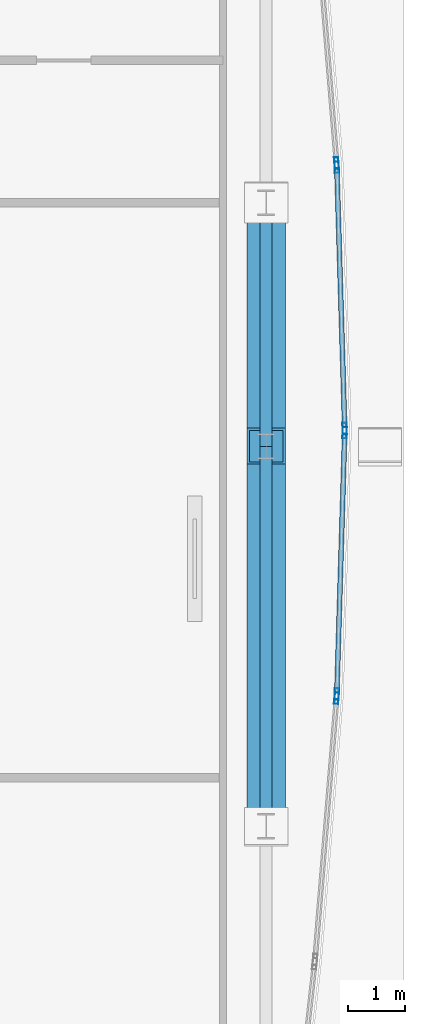
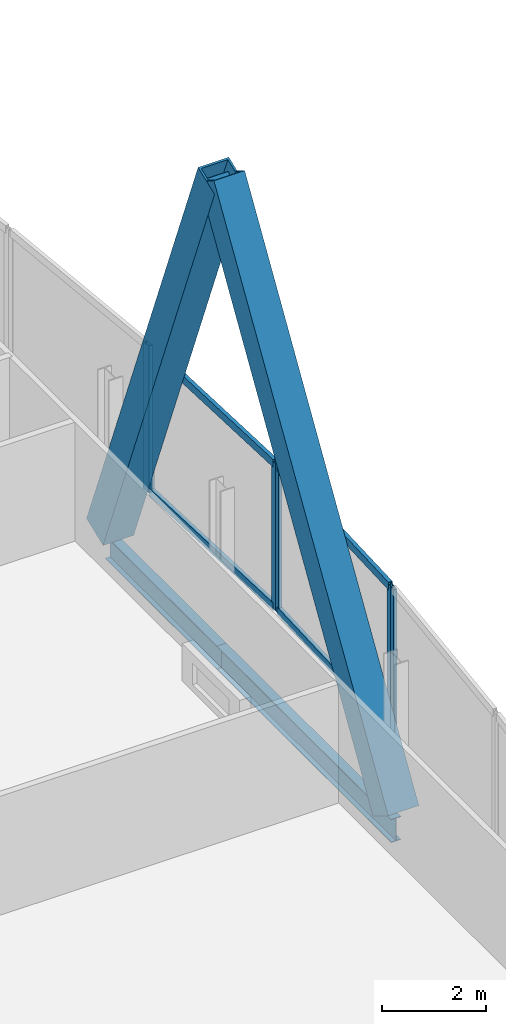
# One storey, part 16 of 28: 12 members, 2 beams, 4 elements without a shape of their own.
"""IFC4 building model written with IfcOpenShell, lengths in metres."""

from ifc_helpers import new_model, si_unit, direction, frame, origin, origin_2d, place, context, subcontext, project, spatial, hollow_rectangle, i_section, extrude, material, material_profile, profile_set, type_object, element, aggregate, save


model = new_model("IFC4")

# Units and contexts
model_context = context("Model", 3, precision=1e-05, world=origin(), true_north=direction((0.0, 1.0)))
body_context = subcontext(model_context, "Body", "Model", "MODEL_VIEW")
ifc_project = project(units=[si_unit("LENGTHUNIT", "METRE"), si_unit("AREAUNIT", "SQUARE_METRE"), si_unit("VOLUMEUNIT", "CUBIC_METRE"), si_unit("PLANEANGLEUNIT", "RADIAN"), si_unit("MASSUNIT", "GRAM", prefix="KILO")], contexts=[model_context])

# Site, building, storey
site_placement = place(None, origin())
site = spatial("IfcSite", under=ifc_project, at=site_placement, CompositionType="ELEMENT")
building_placement = place(site_placement, origin())
building = spatial("IfcBuilding", under=site, at=building_placement, Name="Khoronbel Lancet Exchange", CompositionType="ELEMENT")
storey_placement = place(building_placement, frame((0.0, 0.0, 291.39990234375)))
storey = spatial("IfcBuildingStorey", under=building, at=storey_placement, Name="L75", CompositionType="ELEMENT", Elevation=291.39990234375)

# Beams
ifc_material_1 = material(Name="Steel S355", Category="steel")
ifc_material_profile_1 = material_profile(ifc_material_1, i_section(OverallWidth=0.2099609375, OverallDepth=0.550048828125, WebThickness=0.010986328125, FlangeThickness=0.01708984375, at=origin_2d()), Name="IPE 550")
ifc_profile_set_1 = profile_set([ifc_material_profile_1], Name="Steel S355")
beam_type = type_object("IfcBeamType", Name="BM-BSP3", PredefinedType="SPANDREL", material=ifc_profile_set_1)
beam_1_placement = place(storey_placement, frame((61.6298828125, 24.75, -0.434814453125), z_axis=(0.0, 1.0, 0.0), x_axis=(-1.0, 0.0, 0.0)))
element("IfcBeam", 1, at=beam_1_placement, inside=storey, type_object=beam_type, Name="Level L75 perimeter spandrel beam SP10", PredefinedType="SPANDREL", context=body_context, shape_type="SweptSolid", body=[
    extrude(i_section(OverallWidth=0.2099609375, OverallDepth=0.550048828125, WebThickness=0.010986328125, FlangeThickness=0.01708984375, at=origin_2d()), origin(), (0.0, 0.0, 1.0), 6.675048828125),
])
beam_2_placement = place(storey_placement, frame((61.6298828125, 31.425048828125, -0.434814453125), z_axis=(0.0, 1.0, 0.0), x_axis=(-1.0, 0.0, 0.0)))
element("IfcBeam", 2, at=beam_2_placement, inside=storey, type_object=beam_type, Name="Level L75 perimeter spandrel beam SP11", PredefinedType="SPANDREL", context=body_context, shape_type="SweptSolid", body=[
    extrude(i_section(OverallWidth=0.2099609375, OverallDepth=0.550048828125, WebThickness=0.010986328125, FlangeThickness=0.01708984375, at=origin_2d()), origin(), (0.0, 0.0, 1.0), 4.27490234375),
])

# Curtain wall, member
ifc_material_2 = material(Name="Low-E Solar Control Insulating Glass", Category="glass")
curtain_wall_type = type_object("IfcCurtainWallType", Name="CW-4", PredefinedType="NOTDEFINED", material=ifc_material_2)
curtain_wall_1_placement = place(storey_placement, origin())
curtain_wall_1 = element("IfcCurtainWall", 3, at=curtain_wall_1_placement, inside=storey, type_object=curtain_wall_type, Name="Unitised curtain wall CW-L75-E18", PredefinedType="NOTDEFINED")
ifc_material_3 = material(Name="Bronze-Anodised Aluminium 6063-T6", Category="aluminium")
ifc_material_profile_2 = material_profile(ifc_material_3, hollow_rectangle(XDim=0.074951171875, YDim=0.199951171875, WallThickness=0.0048828125, at=origin_2d()), Name="ALU MULLION 75x200")
ifc_profile_set_2 = profile_set([ifc_material_profile_2], Name="Bronze-Anodised Aluminium 6063-T6")
member_type_1 = type_object("IfcMemberType", Name="MEM-CWM2", PredefinedType="MULLION", material=ifc_profile_set_2)
member_1_placement = place(storey_placement, frame((62.8662109375, 36.39892578125, 0.0), z_axis=(0.0, 0.0, 1.0), x_axis=(0.996626353667, 0.082072596992, 0.0)))
member_1 = element("IfcMember", 4, at=member_1_placement, type_object=member_type_1, Name="CW4 mullion 2", PredefinedType="MULLION", context=body_context, shape_type="SweptSolid", body=[
    extrude(hollow_rectangle(XDim=0.074951171875, YDim=0.199951171875, WallThickness=0.0048828125, at=origin_2d()), origin(), (0.0, 0.0, 1.0), 3.440185546875),
])
aggregate(curtain_wall_1, [member_1])

# Curtain wall, members
curtain_wall_2_placement = place(storey_placement, origin())
curtain_wall_2 = element("IfcCurtainWall", 5, at=curtain_wall_2_placement, inside=storey, type_object=curtain_wall_type, Name="Unitised curtain wall CW-L75-E19", PredefinedType="NOTDEFINED")
member_2_placement = place(storey_placement, frame((62.87060546875, 36.32421875, 0.0), z_axis=(0.0, 0.0, 1.0), x_axis=(0.999545457549, 0.030147608411, 0.0)))
member_2 = element("IfcMember", 6, at=member_2_placement, type_object=member_type_1, Name="CW4 mullion 1", PredefinedType="MULLION", context=body_context, shape_type="SweptSolid", body=[
    extrude(hollow_rectangle(XDim=0.074951171875, YDim=0.199951171875, WallThickness=0.0048828125, at=origin_2d()), origin(), (0.0, 0.0, 1.0), 3.440185546875),
])
member_3_placement = place(storey_placement, frame((63.0087890625, 31.737548828125, 0.0), z_axis=(0.0, 0.0, 1.0), x_axis=(0.999545457549, 0.030147608411, 0.0)))
member_3 = element("IfcMember", 7, at=member_3_placement, type_object=member_type_1, Name="CW4 mullion 2", PredefinedType="MULLION", context=body_context, shape_type="SweptSolid", body=[
    extrude(hollow_rectangle(XDim=0.074951171875, YDim=0.199951171875, WallThickness=0.0048828125, at=origin_2d()), origin(), (0.0, 0.0, 1.0), 3.440185546875),
])

curtain_wall_3_placement = place(storey_placement, origin())
curtain_wall_3 = element("IfcCurtainWall", 8, at=curtain_wall_3_placement, inside=storey, type_object=curtain_wall_type, Name="Unitised curtain wall CW-L75-E20", PredefinedType="NOTDEFINED")
member_4_placement = place(storey_placement, frame((63.0087890625, 31.66259765625, 0.0), z_axis=(0.0, 0.0, 1.0), x_axis=(0.999545457549, -0.030147608411, 0.0)))
member_4 = element("IfcMember", 9, at=member_4_placement, type_object=member_type_1, Name="CW4 mullion 1", PredefinedType="MULLION", context=body_context, shape_type="SweptSolid", body=[
    extrude(hollow_rectangle(XDim=0.074951171875, YDim=0.199951171875, WallThickness=0.0048828125, at=origin_2d()), origin(), (0.0, 0.0, 1.0), 3.440185546875),
])
member_5_placement = place(storey_placement, frame((62.87060546875, 27.075927734375, 0.0), z_axis=(0.0, 0.0, 1.0), x_axis=(0.999545457549, -0.030147608411, 0.0)))
member_5 = element("IfcMember", 10, at=member_5_placement, type_object=member_type_1, Name="CW4 mullion 2", PredefinedType="MULLION", context=body_context, shape_type="SweptSolid", body=[
    extrude(hollow_rectangle(XDim=0.074951171875, YDim=0.199951171875, WallThickness=0.0048828125, at=origin_2d()), origin(), (0.0, 0.0, 1.0), 3.440185546875),
])

# Curtain wall, member
curtain_wall_4_placement = place(storey_placement, origin())
curtain_wall_4 = element("IfcCurtainWall", 11, at=curtain_wall_4_placement, inside=storey, type_object=curtain_wall_type, Name="Unitised curtain wall CW-L75-E21", PredefinedType="NOTDEFINED")
member_6_placement = place(storey_placement, frame((62.8662109375, 27.0009765625, 0.0), z_axis=(0.0, 0.0, 1.0), x_axis=(0.996626353667, -0.082072596992, 0.0)))
member_6 = element("IfcMember", 12, at=member_6_placement, type_object=member_type_1, Name="CW4 mullion 1", PredefinedType="MULLION", context=body_context, shape_type="SweptSolid", body=[
    extrude(hollow_rectangle(XDim=0.074951171875, YDim=0.199951171875, WallThickness=0.0048828125, at=origin_2d()), origin(), (0.0, 0.0, 1.0), 3.440185546875),
])
aggregate(curtain_wall_4, [member_6])

# Member
ifc_material_profile_3 = material_profile(ifc_material_3, hollow_rectangle(XDim=0.0849609375, YDim=0.179931640625, WallThickness=0.0048828125, at=origin_2d()), Name="ALU TRANSOM 85x180")
ifc_profile_set_3 = profile_set([ifc_material_profile_3], Name="Bronze-Anodised Aluminium 6063-T6")
member_type_2 = type_object("IfcMemberType", Name="MEM-CWT1", PredefinedType="USERDEFINED", material=ifc_profile_set_3)
member_7_placement = place(storey_placement, frame((62.87158203125, 36.28662109375, 0.04248046875), z_axis=(0.030181049901, -0.99954444835, 0.0), x_axis=(0.99954444835, 0.030181049901, 0.0)))
member_7 = element("IfcMember", 13, at=member_7_placement, type_object=member_type_2, Name="CW4 transom 1.1", ObjectType="TRANSOM", PredefinedType="USERDEFINED", context=body_context, shape_type="SweptSolid", body=[
    extrude(hollow_rectangle(XDim=0.0849609375, YDim=0.179931640625, WallThickness=0.0048828125, at=origin_2d()), origin(), (0.0, 0.0, 1.0), 4.513671875),
])

member_8_placement = place(storey_placement, frame((62.87158203125, 36.28662109375, 3.397705078125), z_axis=(0.030181049901, -0.99954444835, 0.0), x_axis=(0.99954444835, 0.030181049901, 0.0)))
member_8 = element("IfcMember", 14, at=member_8_placement, type_object=member_type_2, Name="CW4 transom 1.2", ObjectType="TRANSOM", PredefinedType="USERDEFINED", context=body_context, shape_type="SweptSolid", body=[
    extrude(hollow_rectangle(XDim=0.0849609375, YDim=0.179931640625, WallThickness=0.0048828125, at=origin_2d()), origin(), (0.0, 0.0, 1.0), 4.513671875),
])

aggregate(curtain_wall_2, [member_2, member_3, member_7, member_8])

member_9_placement = place(storey_placement, frame((63.0078125, 31.625, 0.04248046875), z_axis=(-0.030181049901, -0.99954444835, 0.0), x_axis=(0.99954444835, -0.030181049901, 0.0)))
member_9 = element("IfcMember", 15, at=member_9_placement, type_object=member_type_2, Name="CW4 transom 1.1", ObjectType="TRANSOM", PredefinedType="USERDEFINED", context=body_context, shape_type="SweptSolid", body=[
    extrude(hollow_rectangle(XDim=0.0849609375, YDim=0.179931640625, WallThickness=0.0048828125, at=origin_2d()), origin(), (0.0, 0.0, 1.0), 4.513671875),
])

member_10_placement = place(storey_placement, frame((63.0078125, 31.625, 3.397705078125), z_axis=(-0.030181049901, -0.99954444835, 0.0), x_axis=(0.99954444835, -0.030181049901, 0.0)))
member_10 = element("IfcMember", 16, at=member_10_placement, type_object=member_type_2, Name="CW4 transom 1.2", ObjectType="TRANSOM", PredefinedType="USERDEFINED", context=body_context, shape_type="SweptSolid", body=[
    extrude(hollow_rectangle(XDim=0.0849609375, YDim=0.179931640625, WallThickness=0.0048828125, at=origin_2d()), origin(), (0.0, 0.0, 1.0), 4.513671875),
])

aggregate(curtain_wall_3, [member_4, member_5, member_9, member_10])

# Members
ifc_material_4 = material(Name="Steel S460", Category="steel")
ifc_material_profile_4 = material_profile(ifc_material_4, hollow_rectangle(XDim=0.679931640625, YDim=0.679931640625, WallThickness=0.044921875, at=origin_2d()), Name="BOX 680x680x45")
ifc_profile_set_4 = profile_set([ifc_material_profile_4], Name="Steel S460")
member_type_3 = type_object("IfcMemberType", Name="MEM-MB3", PredefinedType="BRACE", material=ifc_profile_set_4)
member_11_placement = place(storey_placement, frame((61.6298828125, 24.75, 0.0), z_axis=(0.0, 0.525745449971, 0.850641946906), x_axis=(-1.0, 0.0, 0.0)))
element("IfcMember", 17, at=member_11_placement, inside=storey, type_object=member_type_3, Name="Perimeter lancet brace tier 26 E-P-L", PredefinedType="BRACE", context=body_context, shape_type="SweptSolid", body=[
    extrude(hollow_rectangle(XDim=0.679931640625, YDim=0.679931640625, WallThickness=0.044921875, at=origin_2d()), origin(), (0.0, 0.0, 1.0), 12.6962890625),
])
member_12_placement = place(storey_placement, frame((61.6298828125, 35.699951171875, 0.0), z_axis=(0.0, -0.368039743753, 0.929810059646), x_axis=(1.0, 0.0, 0.0)))
element("IfcMember", 18, at=member_12_placement, inside=storey, type_object=member_type_3, Name="Perimeter lancet brace tier 26 E-P-R", PredefinedType="BRACE", context=body_context, shape_type="SweptSolid", body=[
    extrude(hollow_rectangle(XDim=0.679931640625, YDim=0.679931640625, WallThickness=0.044921875, at=origin_2d()), origin(), (0.0, 0.0, 1.0), 11.615234375),
])

save(model, "model.ifc")
